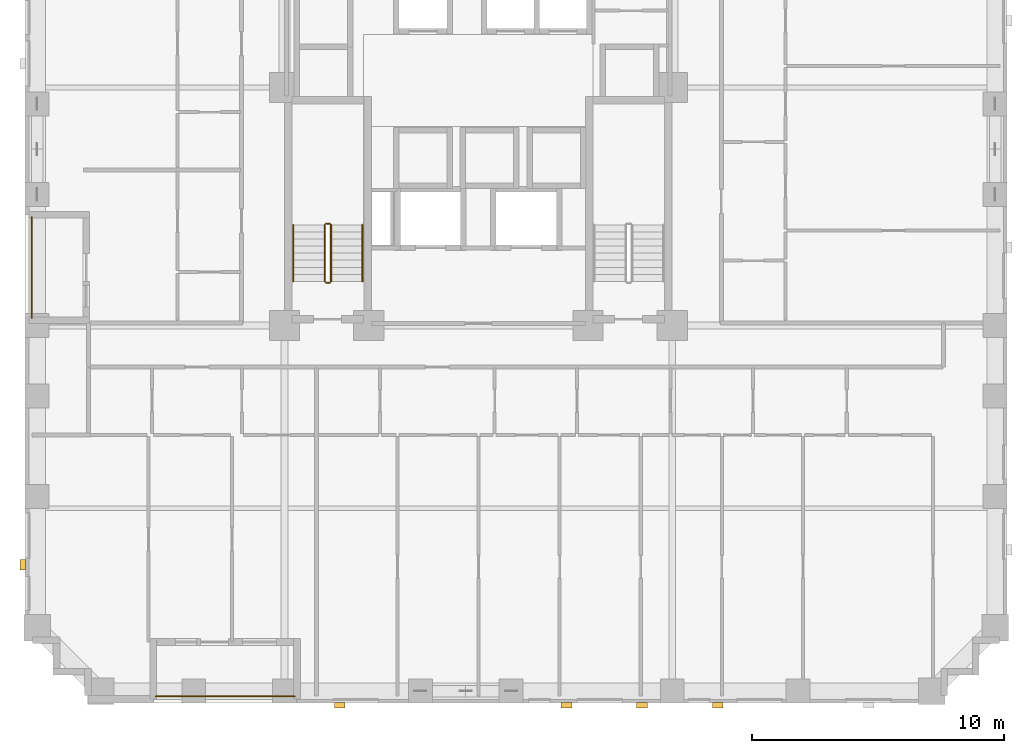
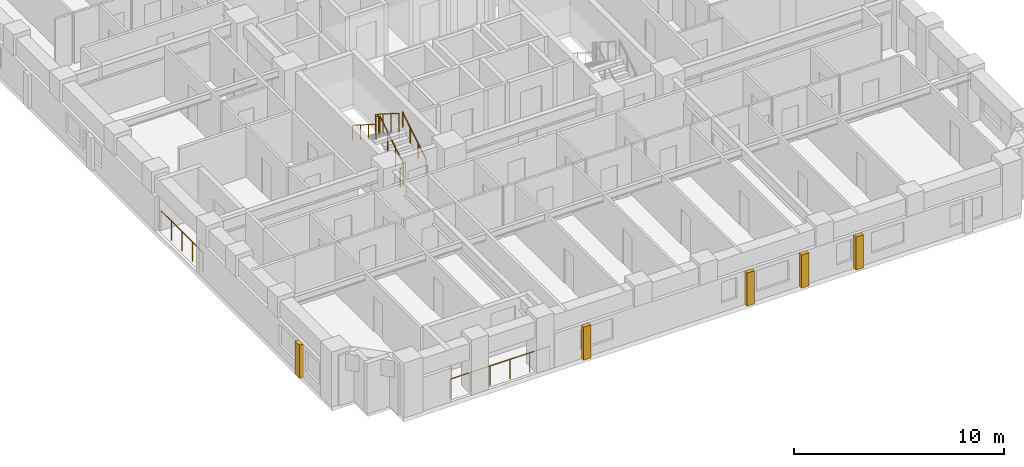
# One storey, part 12 of 14: 8 railings, 5 coverings.
"""IFC4 building model written with IfcOpenShell, lengths in metres."""

from ifc_helpers import new_model, si_unit, derived_unit, direction, frame, origin, origin_2d, place, context, subcontext, project, spatial, rectangle, circle, extrude, material, layer, layer_set, type_object, element, save


model = new_model("IFC4")

# Units and contexts
model_context = context("Model", 3, precision=1e-05, world=origin(), true_north=direction((0.0, 1.0)))
body_context = subcontext(model_context, "Body", "Model", "MODEL_VIEW")
ifc_project = project(units=[si_unit("LENGTHUNIT", "METRE"), si_unit("AREAUNIT", "SQUARE_METRE"), si_unit("VOLUMEUNIT", "CUBIC_METRE"), si_unit("PLANEANGLEUNIT", "RADIAN"), si_unit("MASSUNIT", "GRAM", prefix="KILO"), derived_unit("THERMALTRANSMITTANCEUNIT", [(si_unit("MASSUNIT", "GRAM", prefix="KILO"), 1), (si_unit("TIMEUNIT", "SECOND"), -3), (si_unit("THERMODYNAMICTEMPERATUREUNIT", "KELVIN"), -1)])], contexts=[model_context])

# Site, building, storey
site_placement = place(None, origin())
site = spatial("IfcSite", under=ifc_project, at=site_placement, CompositionType="ELEMENT")
building_placement = place(site_placement, origin())
building = spatial("IfcBuilding", under=site, at=building_placement, Name="Korrvale Station Residences", CompositionType="ELEMENT")
storey_placement = place(building_placement, frame((0.0, 0.0, 38.60009765625)))
storey = spatial("IfcBuildingStorey", under=building, at=storey_placement, Name="L09", CompositionType="ELEMENT", Elevation=38.60009765625)

# Coverings
ifc_material_1 = material(Name="Architectural precast concrete C45/55", Category="concrete")
ifc_layer = layer(ifc_material_1, 0.219970703125, Name="Architectural precast concrete C45/55")
ifc_layer_set = layer_set([ifc_layer], Name="Architectural precast concrete C45/55")
covering_type = type_object("IfcCoveringType", Name="COV-PIER-400", PredefinedType="CLADDING", material=ifc_layer_set)
for number, where, z_axis, x_axis, name in (
    (1, (35.0, -0.090087890625, 0.02490234375), (0.0, 0.0, 1.0), (1.0, 0.0, 0.0), "L09 Architectural Precast Facade Pier 02"),
    (2, (32.0, -0.090087890625, 0.02490234375), (0.0, 0.0, 1.0), (1.0, 0.0, 0.0), "L09 Architectural Precast Facade Pier 03"),
    (3, (29.0, -0.090087890625, 0.02490234375), (0.0, 0.0, 1.0), (1.0, 0.0, 0.0), "L09 Architectural Precast Facade Pier 04"),
    (4, (20.0, -0.090087890625, 0.02490234375), (0.0, 0.0, 1.0), (1.0, 0.0, 0.0), "L09 Architectural Precast Facade Pier 05"),
    (5, (7.409912109375, 5.5, 0.02490234375), (0.0, 0.0, 1.0), (0.0, 1.0, 0.0), "L09 Architectural Precast Facade Pier 12"),
):
    element("IfcCovering", number, at=place(storey_placement, frame(where, z_axis=z_axis, x_axis=x_axis)), inside=storey, type_object=covering_type, Name=name, PredefinedType="CLADDING", context=body_context, shape_type="SweptSolid", body=[
        extrude(rectangle(XDim=0.419921875, YDim=0.219970703125, at=origin_2d()), origin(), (0.0, 0.0, 1.0), 1.925048828125),
    ])

# Railings
ifc_material_2 = material(Name="Powder-coated aluminium picket loggia guard", Category="aluminium")
railing_type_1 = type_object("IfcRailingType", Name="RLG-BAL-1150", PredefinedType="GUARDRAIL", material=ifc_material_2)
railing_1_placement = place(storey_placement, frame((12.699951171875, 0.27001953125, 0.0)))
element("IfcRailing", 6, at=railing_1_placement, inside=storey, type_object=railing_type_1, Name="L09 Recessed Loggia Guardrail BAL-L09-S1", PredefinedType="GUARDRAIL", context=body_context, shape_type="SweptSolid", body=[
    extrude(circle(Radius=0.02392578125, at=origin_2d()), frame((0.0, 0.0, 1.1259765625), z_axis=(1.0, 0.0, 0.0), x_axis=(0.0, 1.0, 0.0)), (0.0, 0.0, 1.0), 5.5),
    extrude(circle(Radius=0.02099609375, at=origin_2d()), origin(), (0.0, 0.0, 1.0), 1.101806640625),
    extrude(circle(Radius=0.02099609375, at=origin_2d()), frame((1.10009765625, 0.0, 0.0)), (0.0, 0.0, 1.0), 1.101806640625),
    extrude(circle(Radius=0.02099609375, at=origin_2d()), frame((2.199951171875, 0.0, 0.0)), (0.0, 0.0, 1.0), 1.101806640625),
    extrude(circle(Radius=0.02099609375, at=origin_2d()), frame((3.300048828125, 0.0, 0.0)), (0.0, 0.0, 1.0), 1.101806640625),
    extrude(circle(Radius=0.02099609375, at=origin_2d()), frame((4.39990234375, 0.0, 0.0)), (0.0, 0.0, 1.0), 1.101806640625),
    extrude(circle(Radius=0.02099609375, at=origin_2d()), frame((5.5, 0.0, 0.0)), (0.0, 0.0, 1.0), 1.101806640625),
])
railing_2_placement = place(storey_placement, frame((7.77001953125, 15.300048828125, 0.0)))
element("IfcRailing", 7, at=railing_2_placement, inside=storey, type_object=railing_type_1, Name="L09 Recessed Loggia Guardrail BAL-L09-W1", PredefinedType="GUARDRAIL", context=body_context, shape_type="SweptSolid", body=[
    extrude(circle(Radius=0.02392578125, at=origin_2d()), frame((0.0, 0.0, 1.1259765625), z_axis=(0.0, 1.0, 0.0), x_axis=(-1.0, 0.0, 0.0)), (0.0, 0.0, 1.0), 4.0),
    extrude(circle(Radius=0.02099609375, at=origin_2d()), origin(), (0.0, 0.0, 1.0), 1.101806640625),
    extrude(circle(Radius=0.02099609375, at=origin_2d()), frame((0.0, 1.0, 0.0)), (0.0, 0.0, 1.0), 1.101806640625),
    extrude(circle(Radius=0.02099609375, at=origin_2d()), frame((0.0, 2.0, 0.0)), (0.0, 0.0, 1.0), 1.101806640625),
    extrude(circle(Radius=0.02099609375, at=origin_2d()), frame((0.0, 3.0, 0.0)), (0.0, 0.0, 1.0), 1.101806640625),
    extrude(circle(Radius=0.02099609375, at=origin_2d()), frame((0.0, 4.0, 0.0)), (0.0, 0.0, 1.0), 1.101806640625),
])
ifc_material_3 = material(Name="Brushed stainless-steel continuous stair handrail", Category="steel")
railing_type_2 = type_object("IfcRailingType", Name="RLG-SHND-900", PredefinedType="HANDRAIL", material=ifc_material_3)
railing_3_placement = place(storey_placement, frame((20.89990234375, 16.75, 0.177734375)))
element("IfcRailing", 8, at=railing_3_placement, inside=storey, type_object=railing_type_2, Name="L09 ST-1 stair handrail 1", PredefinedType="HANDRAIL", context=body_context, shape_type="SweptSolid", body=[
    extrude(circle(Radius=0.02392578125, at=origin_2d()), frame((0.0, 0.0, 0.8759765625), z_axis=(0.0, 0.8442293374, 0.53598211339), x_axis=(-1.0, 0.0, 0.0)), (0.0, 0.0, 1.0), 2.6533203125),
    extrude(circle(Radius=0.02099609375, at=origin_2d()), origin(), (0.0, 0.0, 1.0), 0.851806640625),
    extrude(circle(Radius=0.02099609375, at=origin_2d()), frame((0.0, 0.74658203125, 0.47412109375)), (0.0, 0.0, 1.0), 0.851806640625),
    extrude(circle(Radius=0.02099609375, at=origin_2d()), frame((0.0, 1.493408203125, 0.947998046875)), (0.0, 0.0, 1.0), 0.851806640625),
    extrude(circle(Radius=0.02099609375, at=origin_2d()), frame((0.0, 2.239990234375, 1.422119140625)), (0.0, 0.0, 1.0), 0.851806640625),
])
railing_4_placement = place(storey_placement, frame((18.14990234375, 18.989990234375, 1.777587890625)))
element("IfcRailing", 9, at=railing_4_placement, inside=storey, type_object=railing_type_2, Name="L09 ST-1 stair handrail 2", PredefinedType="HANDRAIL", context=body_context, shape_type="SweptSolid", body=[
    extrude(circle(Radius=0.02392578125, at=origin_2d()), frame((0.0, 0.0, 0.8759765625), z_axis=(0.0, -0.84418770128, 0.536047689118), x_axis=(1.0, 0.0, 0.0)), (0.0, 0.0, 1.0), 2.6533203125),
    extrude(circle(Radius=0.02099609375, at=origin_2d()), origin(), (0.0, 0.0, 1.0), 0.851806640625),
    extrude(circle(Radius=0.02099609375, at=origin_2d()), frame((0.0, -0.74658203125, 0.47412109375)), (0.0, 0.0, 1.0), 0.851806640625),
    extrude(circle(Radius=0.02099609375, at=origin_2d()), frame((0.0, -1.493408203125, 0.9482421875)), (0.0, 0.0, 1.0), 0.851806640625),
    extrude(circle(Radius=0.02099609375, at=origin_2d()), frame((0.0, -2.239990234375, 1.42236328125)), (0.0, 0.0, 1.0), 0.851806640625),
])
ifc_material_4 = material(Name="Galvanised painted tubular steel stair guard", Category="steel")
railing_type_3 = type_object("IfcRailingType", Name="RLG-STR-1100", PredefinedType="GUARDRAIL", material=ifc_material_4)
railing_5_placement = place(storey_placement, frame((19.64990234375, 16.75, 0.177734375)))
element("IfcRailing", 10, at=railing_5_placement, inside=storey, type_object=railing_type_3, Name="L09 ST-1 stair guard 1", PredefinedType="GUARDRAIL", context=body_context, shape_type="SweptSolid", body=[
    extrude(circle(Radius=0.02392578125, at=origin_2d()), frame((0.0, 0.0, 1.076171875), z_axis=(0.0, 0.8442293374, 0.53598211339), x_axis=(-1.0, 0.0, 0.0)), (0.0, 0.0, 1.0), 2.6533203125),
    extrude(circle(Radius=0.02099609375, at=origin_2d()), origin(), (0.0, 0.0, 1.0), 1.052001953125),
    extrude(circle(Radius=0.02099609375, at=origin_2d()), frame((0.0, 0.74658203125, 0.47412109375)), (0.0, 0.0, 1.0), 1.052001953125),
    extrude(circle(Radius=0.02099609375, at=origin_2d()), frame((0.0, 1.493408203125, 0.947998046875)), (0.0, 0.0, 1.0), 1.052001953125),
    extrude(circle(Radius=0.02099609375, at=origin_2d()), frame((0.0, 2.239990234375, 1.422119140625)), (0.0, 0.0, 1.0), 1.052001953125),
])
railing_6_placement = place(storey_placement, frame((19.60009765625, 19.0400390625, 1.599853515625)))
element("IfcRailing", 11, at=railing_6_placement, inside=storey, type_object=railing_type_3, Name="L09 ST-1 stair guard 2", PredefinedType="GUARDRAIL", context=body_context, shape_type="SweptSolid", body=[
    extrude(circle(Radius=0.02392578125, at=origin_2d()), frame((0.0, 0.0, 1.076171875), z_axis=(-1.0, 0.0, 0.0), x_axis=(0.0, -1.0, 0.0)), (0.0, 0.0, 1.0), 0.150146484375),
    extrude(circle(Radius=0.02099609375, at=origin_2d()), origin(), (0.0, 0.0, 1.0), 1.052001953125),
    extrude(circle(Radius=0.02099609375, at=origin_2d()), frame((-0.150146484375, 0.0, 0.0)), (0.0, 0.0, 1.0), 1.052001953125),
])
railing_7_placement = place(storey_placement, frame((19.39990234375, 18.989990234375, 1.777587890625)))
element("IfcRailing", 12, at=railing_7_placement, inside=storey, type_object=railing_type_3, Name="L09 ST-1 stair guard 3", PredefinedType="GUARDRAIL", context=body_context, shape_type="SweptSolid", body=[
    extrude(circle(Radius=0.02392578125, at=origin_2d()), frame((0.0, 0.0, 1.076171875), z_axis=(0.0, -0.84418770128, 0.536047689118), x_axis=(1.0, 0.0, 0.0)), (0.0, 0.0, 1.0), 2.6533203125),
    extrude(circle(Radius=0.02099609375, at=origin_2d()), origin(), (0.0, 0.0, 1.0), 1.052001953125),
    extrude(circle(Radius=0.02099609375, at=origin_2d()), frame((0.0, -0.74658203125, 0.47412109375)), (0.0, 0.0, 1.0), 1.052001953125),
    extrude(circle(Radius=0.02099609375, at=origin_2d()), frame((0.0, -1.493408203125, 0.9482421875)), (0.0, 0.0, 1.0), 1.052001953125),
    extrude(circle(Radius=0.02099609375, at=origin_2d()), frame((0.0, -2.239990234375, 1.42236328125)), (0.0, 0.0, 1.0), 1.052001953125),
])
railing_8_placement = place(storey_placement, frame((19.60009765625, 16.699951171875, 0.0)))
element("IfcRailing", 13, at=railing_8_placement, inside=storey, type_object=railing_type_3, Name="L09 ST-1 stair guard 4", PredefinedType="GUARDRAIL", context=body_context, shape_type="SweptSolid", body=[
    extrude(circle(Radius=0.02392578125, at=origin_2d()), frame((0.0, 0.0, 1.076171875), z_axis=(-1.0, 0.0, 0.0), x_axis=(0.0, -1.0, 0.0)), (0.0, 0.0, 1.0), 0.150146484375),
    extrude(circle(Radius=0.02099609375, at=origin_2d()), origin(), (0.0, 0.0, 1.0), 1.052001953125),
    extrude(circle(Radius=0.02099609375, at=origin_2d()), frame((-0.150146484375, 0.0, 0.0)), (0.0, 0.0, 1.0), 1.052001953125),
])

save(model, "model.ifc")
